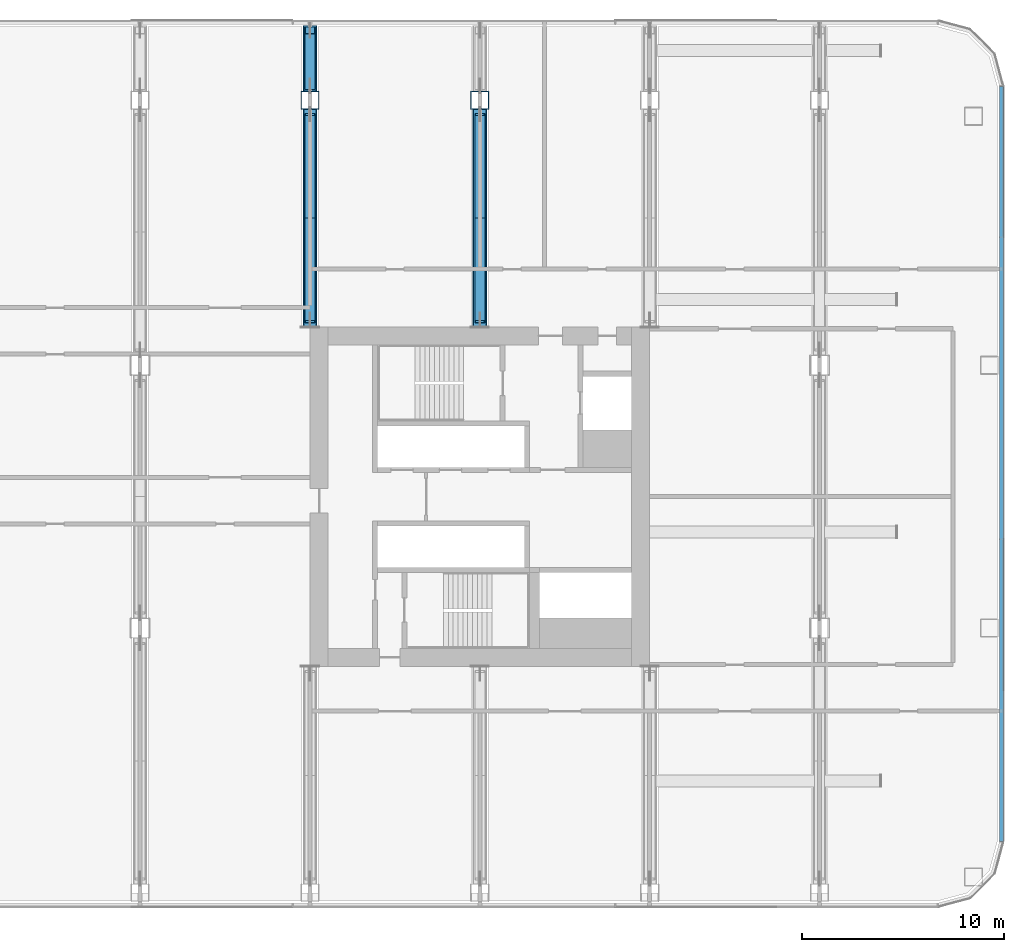
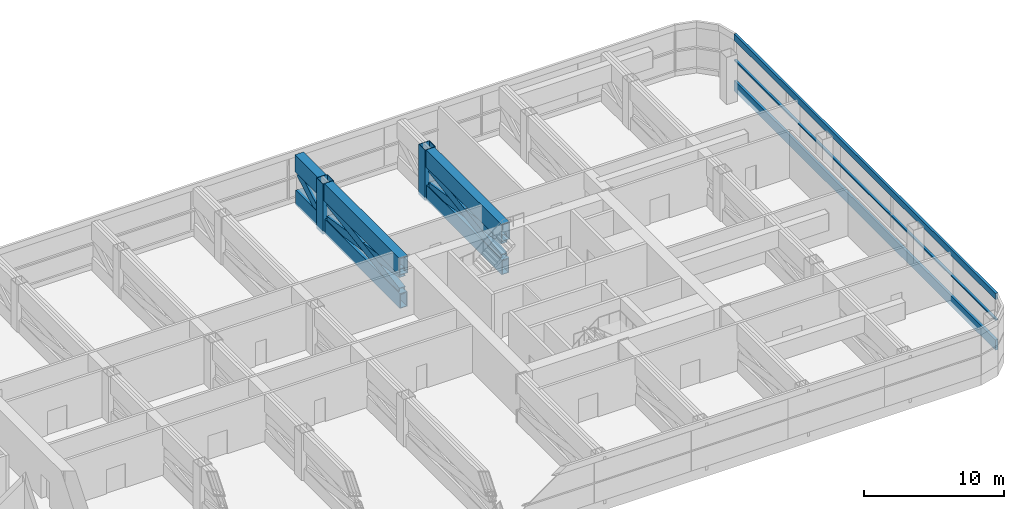
# One storey, part 12 of 30: 16 members, 1 element without a shape of its own.
"""IFC4 building model written with IfcOpenShell, lengths in metres."""

from ifc_helpers import new_model, si_unit, direction, frame, origin, origin_2d, place, context, subcontext, project, spatial, rectangle, hollow_rectangle, extrude, material, layer, layer_set, material_profile, profile_set, type_object, element, aggregate, save


model = new_model("IFC4")

# Units and contexts
model_context = context("Model", 3, precision=1e-05, world=origin(), true_north=direction((0.0, 1.0)))
body_context = subcontext(model_context, "Body", "Model", "MODEL_VIEW")
ifc_project = project(units=[si_unit("LENGTHUNIT", "METRE"), si_unit("AREAUNIT", "SQUARE_METRE"), si_unit("VOLUMEUNIT", "CUBIC_METRE"), si_unit("PLANEANGLEUNIT", "RADIAN"), si_unit("MASSUNIT", "GRAM", prefix="KILO")], contexts=[model_context])

# Site, building, storey
site_placement = place(None, origin())
site = spatial("IfcSite", under=ifc_project, at=site_placement, CompositionType="ELEMENT")
building_placement = place(site_placement, origin())
building = spatial("IfcBuilding", under=site, at=building_placement, Name="Hakoniwa Tower and Hamabe Station Hall", CompositionType="ELEMENT")
storey_placement = place(building_placement, frame((0.0, 0.0, 64.60009765625)))
storey = spatial("IfcBuildingStorey", under=building, at=storey_placement, Name="L18", CompositionType="ELEMENT", Elevation=64.60009765625)

# Curtain wall, members
ifc_material_1 = material(Name="Dark low-e laminated glass", Category="glass")
ifc_layer = layer(ifc_material_1, 0.199951171875)
ifc_layer_set = layer_set([ifc_layer], Name="CW-6 PLANT LOUVRE")
curtain_wall_type = type_object("IfcCurtainWallType", Name="CW-6 PLANT LOUVRE", PredefinedType="NOTDEFINED", material=ifc_layer_set)
curtain_wall_placement = place(storey_placement, origin())
curtain_wall = element("IfcCurtainWall", 1, at=curtain_wall_placement, inside=storey, type_object=curtain_wall_type, Name="CW-6 curtain wall", PredefinedType="NOTDEFINED")
ifc_material_2 = material(Name="Aluminium 6063-T5 black anodised", Category="aluminium")
ifc_material_profile_1 = material_profile(ifc_material_2, rectangle(XDim=0.199951171875, YDim=0.550048828125, at=origin_2d()), Name="CW HEAD BAND 550X200")
ifc_profile_set_1 = profile_set([ifc_material_profile_1], Name="Aluminium 6063-T5 black anodised")
member_type_1 = type_object("IfcMemberType", Name="CW HEAD BAND 550X200", PredefinedType="USERDEFINED", material=ifc_profile_set_1)
member_1_placement = place(storey_placement, frame((51.0, -17.03955078125, 4.125), z_axis=(0.0, 1.0, 0.0), x_axis=(-1.0, 0.0, 0.0)))
member_1 = element("IfcMember", 2, at=member_1_placement, type_object=member_type_1, Name="CW-6 transom", ObjectType="TRANSOM", PredefinedType="USERDEFINED", context=body_context, shape_type="SweptSolid", body=[
    extrude(rectangle(XDim=0.199951171875, YDim=0.550048828125, at=origin_2d()), origin(), (0.0, 0.0, 1.0), 37.3291015625),
])
ifc_material_3 = material(Name="Aluminium 6063-T5 black anodised", Category="aluminium")
ifc_material_profile_2 = material_profile(ifc_material_3, rectangle(XDim=0.199951171875, YDim=0.1201171875, at=origin_2d()), Name="CW MID TRANSOM 120X200")
ifc_profile_set_2 = profile_set([ifc_material_profile_2], Name="Aluminium 6063-T5 black anodised")
member_type_2 = type_object("IfcMemberType", Name="CW MID TRANSOM 120X200", PredefinedType="USERDEFINED", material=ifc_profile_set_2)
member_2_placement = place(storey_placement, frame((51.0, -17.03955078125, 2.099853515625), z_axis=(0.0, 1.0, 0.0), x_axis=(-1.0, 0.0, 0.0)))
member_2 = element("IfcMember", 3, at=member_2_placement, type_object=member_type_2, Name="CW-6 transom", ObjectType="TRANSOM", PredefinedType="USERDEFINED", context=body_context, shape_type="SweptSolid", body=[
    extrude(rectangle(XDim=0.199951171875, YDim=0.1201171875, at=origin_2d()), origin(), (0.0, 0.0, 1.0), 37.3291015625),
])
ifc_material_4 = material(Name="Aluminium 6063-T5 black anodised", Category="aluminium")
ifc_material_profile_3 = material_profile(ifc_material_4, rectangle(XDim=0.199951171875, YDim=0.89990234375, at=origin_2d()), Name="CW SLAB-EDGE BAND 900X200")
ifc_profile_set_3 = profile_set([ifc_material_profile_3], Name="Aluminium 6063-T5 black anodised")
member_type_3 = type_object("IfcMemberType", Name="CW SLAB-EDGE BAND 900X200", PredefinedType="USERDEFINED", material=ifc_profile_set_3)
member_3_placement = place(storey_placement, frame((51.0, -17.03955078125, -0.10009765625), z_axis=(0.0, 1.0, 0.0), x_axis=(-1.0, 0.0, 0.0)))
member_3 = element("IfcMember", 4, at=member_3_placement, type_object=member_type_3, Name="CW-6 transom", ObjectType="TRANSOM", PredefinedType="USERDEFINED", context=body_context, shape_type="SweptSolid", body=[
    extrude(rectangle(XDim=0.199951171875, YDim=0.89990234375, at=origin_2d()), origin(), (0.0, 0.0, 1.0), 37.3291015625),
])
aggregate(curtain_wall, [member_3, member_2, member_1])

# Members
ifc_material_5 = material(Name="Steel SN490C", Category="steel")
ifc_material_profile_4 = material_profile(ifc_material_5, hollow_rectangle(XDim=0.60009765625, YDim=1.300048828125, WallThickness=0.050048828125, at=origin_2d()), Name="BX-1300x600x50")
ifc_profile_set_4 = profile_set([ifc_material_profile_4], Name="Steel SN490C")
member_type_4 = type_object("IfcMemberType", Name="TRUSS CHORD BX-1300x600x50", PredefinedType="CHORD", material=ifc_profile_set_4)
member_4_placement = place(storey_placement, frame((16.800048828125, 8.39990234375, 0.349853515625), z_axis=(0.0, 1.0, 0.0), x_axis=(-1.0, 0.0, 0.0)))
element("IfcMember", 5, at=member_4_placement, inside=storey, type_object=member_type_4, Name="Truss T1-16-BC01", PredefinedType="CHORD", context=body_context, shape_type="SweptSolid", body=[
    extrude(hollow_rectangle(XDim=0.60009765625, YDim=1.300048828125, WallThickness=0.050048828125, at=origin_2d()), origin(), (0.0, 0.0, 1.0), 10.75),
])
member_5_placement = place(storey_placement, frame((16.800048828125, 20.050048828125, 0.349853515625), z_axis=(0.0, 1.0, 0.0), x_axis=(-1.0, 0.0, 0.0)))
element("IfcMember", 6, at=member_5_placement, inside=storey, type_object=member_type_4, Name="Truss T1-16-BCH", PredefinedType="CHORD", context=body_context, shape_type="SweptSolid", body=[
    extrude(hollow_rectangle(XDim=0.60009765625, YDim=1.300048828125, WallThickness=0.050048828125, at=origin_2d()), origin(), (0.0, 0.0, 1.0), 3.25),
])
member_6_placement = place(storey_placement, frame((25.199951171875, 8.39990234375, 0.349853515625), z_axis=(0.0, 1.0, 0.0), x_axis=(-1.0, 0.0, 0.0)))
element("IfcMember", 7, at=member_6_placement, inside=storey, type_object=member_type_4, Name="Truss T1-18-BC01", PredefinedType="CHORD", context=body_context, shape_type="SweptSolid", body=[
    extrude(hollow_rectangle(XDim=0.60009765625, YDim=1.300048828125, WallThickness=0.050048828125, at=origin_2d()), origin(), (0.0, 0.0, 1.0), 10.75),
])
ifc_material_6 = material(Name="Steel SN490C", Category="steel")
ifc_material_profile_5 = material_profile(ifc_material_6, hollow_rectangle(XDim=0.699951171875, YDim=1.5, WallThickness=0.054931640625, at=origin_2d()), Name="BX-1500x700x55")
ifc_profile_set_5 = profile_set([ifc_material_profile_5], Name="Steel SN490C")
member_type_5 = type_object("IfcMemberType", Name="TRUSS CHORD BX-1500x700x55", PredefinedType="CHORD", material=ifc_profile_set_5)
member_7_placement = place(storey_placement, frame((16.800048828125, 8.39990234375, 3.349853515625), z_axis=(0.0, 1.0, 0.0), x_axis=(-1.0, 0.0, 0.0)))
element("IfcMember", 8, at=member_7_placement, inside=storey, type_object=member_type_5, Name="Truss T1-16-TC01", PredefinedType="CHORD", context=body_context, shape_type="SweptSolid", body=[
    extrude(hollow_rectangle(XDim=0.699951171875, YDim=1.5, WallThickness=0.054931640625, at=origin_2d()), origin(), (0.0, 0.0, 1.0), 10.75),
])
member_8_placement = place(storey_placement, frame((16.800048828125, 20.050048828125, 3.349853515625), z_axis=(0.0, 1.0, 0.0), x_axis=(-1.0, 0.0, 0.0)))
element("IfcMember", 9, at=member_8_placement, inside=storey, type_object=member_type_5, Name="Truss T1-16-TCH", PredefinedType="CHORD", context=body_context, shape_type="SweptSolid", body=[
    extrude(hollow_rectangle(XDim=0.699951171875, YDim=1.5, WallThickness=0.054931640625, at=origin_2d()), origin(), (0.0, 0.0, 1.0), 3.25),
])
member_9_placement = place(storey_placement, frame((25.199951171875, 8.39990234375, 3.349853515625), z_axis=(0.0, 1.0, 0.0), x_axis=(-1.0, 0.0, 0.0)))
element("IfcMember", 10, at=member_9_placement, inside=storey, type_object=member_type_5, Name="Truss T1-18-TC01", PredefinedType="CHORD", context=body_context, shape_type="SweptSolid", body=[
    extrude(hollow_rectangle(XDim=0.699951171875, YDim=1.5, WallThickness=0.054931640625, at=origin_2d()), origin(), (0.0, 0.0, 1.0), 10.75),
])
ifc_material_7 = material(Name="Steel SN490C", Category="steel")
ifc_material_profile_6 = material_profile(ifc_material_7, hollow_rectangle(XDim=0.5, YDim=0.699951171875, WallThickness=0.031982421875, at=origin_2d()), Name="BX-700x500x32")
ifc_profile_set_6 = profile_set([ifc_material_profile_6], Name="Steel SN490C")
member_type_6 = type_object("IfcMemberType", Name="TRUSS DIAGONAL BX-700x500x32", PredefinedType="BRACE", material=ifc_profile_set_6)
for number, where, z_axis, x_axis, name in (
    (11, (16.800048828125, 8.64990234375, 1.0), (0.0, 0.988037147164, 0.15421606863), (-1.0, 0.0, 0.0), "Truss T1-16-D01a"),
    (12, (16.800048828125, 8.64990234375, 2.599853515625), (0.0, 0.988037147164, -0.15421606863), (-1.0, 0.0, 0.0), "Truss T1-16-D01b"),
):
    element("IfcMember", number, at=place(storey_placement, frame(where, z_axis=z_axis, x_axis=x_axis)), inside=storey, type_object=member_type_6, Name=name, PredefinedType="BRACE", context=body_context, shape_type="SweptSolid", body=[
        extrude(hollow_rectangle(XDim=0.5, YDim=0.699951171875, WallThickness=0.031982421875, at=origin_2d()), origin(), (0.0, 0.0, 1.0), 10.3740234375),
    ])
member_10_placement = place(storey_placement, frame((16.800048828125, 20.300048828125, 1.0), z_axis=(0.0, 0.864368350493, 0.502859179757), x_axis=(-1.0, 0.0, 0.0)))
element("IfcMember", 13, at=member_10_placement, inside=storey, type_object=member_type_6, Name="Truss T1-16-DHa", PredefinedType="BRACE", context=body_context, shape_type="SweptSolid", body=[
    extrude(hollow_rectangle(XDim=0.5, YDim=0.699951171875, WallThickness=0.031982421875, at=origin_2d()), origin(), (0.0, 0.0, 1.0), 3.181396484375),
])
for number, where, z_axis, x_axis, name in (
    (14, (25.199951171875, 8.64990234375, 1.0), (0.0, 0.988037147164, 0.15421606863), (-1.0, 0.0, 0.0), "Truss T1-18-D01a"),
    (15, (25.199951171875, 8.64990234375, 2.599853515625), (0.0, 0.988037147164, -0.15421606863), (-1.0, 0.0, 0.0), "Truss T1-18-D01b"),
):
    element("IfcMember", number, at=place(storey_placement, frame(where, z_axis=z_axis, x_axis=x_axis)), inside=storey, type_object=member_type_6, Name=name, PredefinedType="BRACE", context=body_context, shape_type="SweptSolid", body=[
        extrude(hollow_rectangle(XDim=0.5, YDim=0.699951171875, WallThickness=0.031982421875, at=origin_2d()), origin(), (0.0, 0.0, 1.0), 10.3740234375),
    ])
ifc_material_8 = material(Name="Steel SN490C", Category="steel")
ifc_material_profile_7 = material_profile(ifc_material_8, hollow_rectangle(XDim=0.89990234375, YDim=0.89990234375, WallThickness=0.035888671875, at=origin_2d()), Name="BX-900x900x36")
ifc_profile_set_7 = profile_set([ifc_material_profile_7], Name="Steel SN490C")
member_type_7 = type_object("IfcMemberType", Name="TRUSS POST BX-900x900x36", PredefinedType="POST", material=ifc_profile_set_7)
for number, where, z_axis, x_axis, name in (
    (16, (16.800048828125, 19.60009765625, -0.300048828125), (0.0, 0.0, 1.0), (1.0, 0.0, 0.0), "Truss T1-16-P02"),
    (17, (25.199951171875, 19.60009765625, -0.300048828125), (0.0, 0.0, 1.0), (1.0, 0.0, 0.0), "Truss T1-18-P02"),
):
    element("IfcMember", number, at=place(storey_placement, frame(where, z_axis=z_axis, x_axis=x_axis)), inside=storey, type_object=member_type_7, Name=name, PredefinedType="POST", context=body_context, shape_type="SweptSolid", body=[
        extrude(hollow_rectangle(XDim=0.89990234375, YDim=0.89990234375, WallThickness=0.035888671875, at=origin_2d()), origin(), (0.0, 0.0, 1.0), 4.39990234375),
    ])

save(model, "model.ifc")
